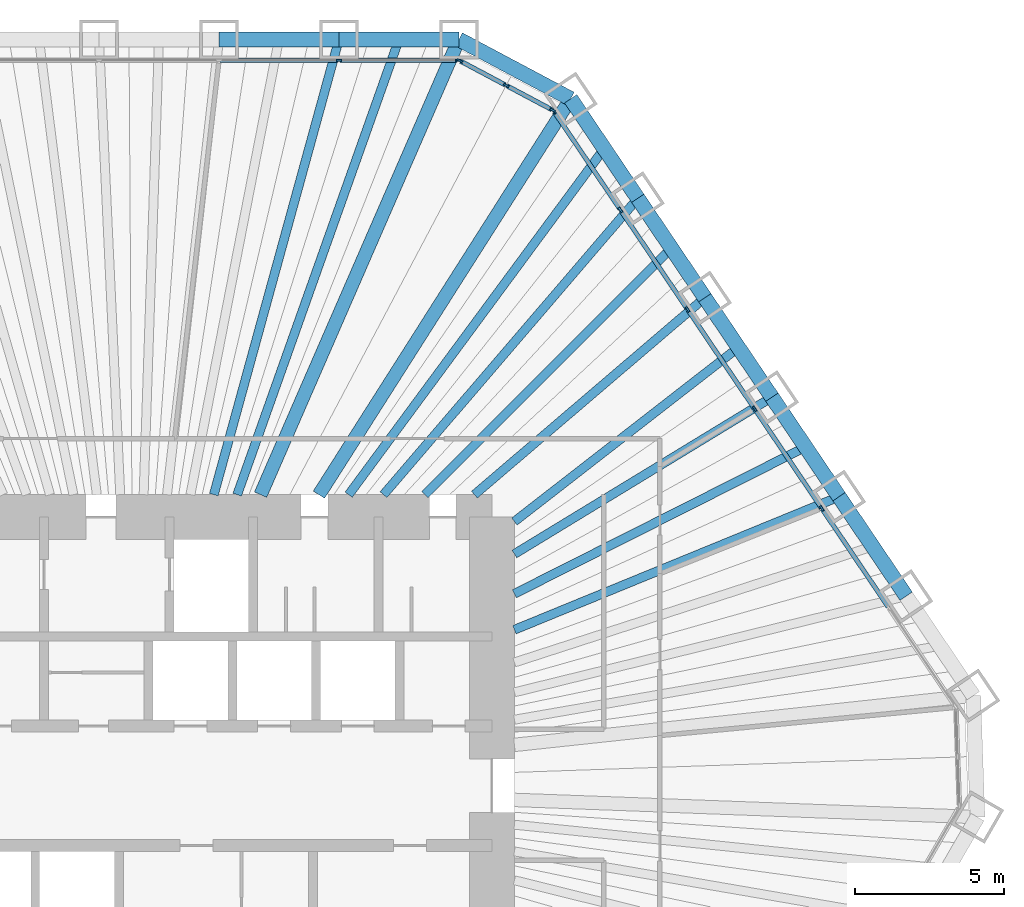
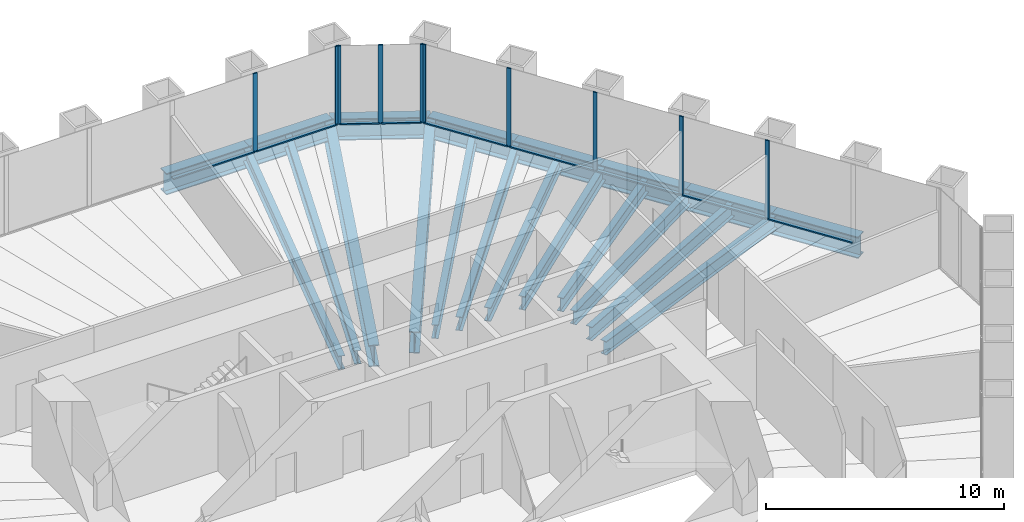
# One storey, part 7 of 13: 20 beams, 19 members, 3 elements without a shape of their own.
"""IFC4 building model written with IfcOpenShell, lengths in metres."""

import ifcopenshell
import ifcopenshell.guid

model = None  # the IFC model being written
_history = None  # IfcOwnerHistory: only IFC2X3 demands one
_inside = {}  # id of a spatial element -> (the spatial element, [elements in it])
_under = {}  # id of a project, library or spatial element -> (it, [spatial elements below it])
_declared = {}  # id of a project -> (the project, [libraries it declares])
_typed = {}  # id of a type object -> (the type object, [elements of that type])
_made_of = {}  # id of a material, layer set ... -> (it, [elements and type objects made of it])


def new_model(schema):
    """Start an empty IFC model of exactly this schema.

    Asked for "IFC4X3", IfcOpenShell would pick the latest addendum, in which some entities
    have other attributes; the version numbers below select the first issue.
    IFC2X3 requires an IfcOwnerHistory on every rooted entity: one is made here for all.
    """
    global model, _history
    if schema == "IFC4X3":
        model = ifcopenshell.file(schema_version=(4, 3, 0, 0))
    else:
        model = ifcopenshell.file(schema=schema)
    _inside.clear()
    _under.clear()
    _declared.clear()
    _typed.clear()
    _made_of.clear()
    _history = None
    if model.schema == "IFC2X3":
        org = make("IfcOrganization", Name="unknown")
        user = make(
            "IfcPersonAndOrganization",
            ThePerson=make("IfcPerson", FamilyName="unknown"),
            TheOrganization=org,
        )
        app = make(
            "IfcApplication",
            ApplicationDeveloper=org,
            Version="unknown",
            ApplicationFullName="unknown",
            ApplicationIdentifier="unknown",
        )
        _history = make(
            "IfcOwnerHistory",
            OwningUser=user,
            OwningApplication=app,
            ChangeAction="ADDED",
            CreationDate=0,
        )
    return model


def make(cls, **values):
    """One entity of the class cls with the attributes given. An attribute that is None is left unset."""
    return model.create_entity(
        cls, **{name: value for name, value in values.items() if value is not None}
    )


def rooted(cls, **values):
    """An entity with a GlobalId (a new one), such as an element, a storey or a relation."""
    return make(cls, GlobalId=ifcopenshell.guid.new(), OwnerHistory=_history, **values)


def si_unit(unit_type, name, prefix=None):
    """IfcSIUnit, for example si_unit("LENGTHUNIT", "METRE", prefix="MILLI")."""
    return make("IfcSIUnit", UnitType=unit_type, Prefix=prefix, Name=name)


def assignment(units):
    """IfcUnitAssignment: the units of a project."""
    return None if units is None else make("IfcUnitAssignment", Units=units)


def point(xyz):
    """IfcCartesianPoint."""
    return None if xyz is None else make("IfcCartesianPoint", Coordinates=xyz)


def direction(xyz):
    """IfcDirection."""
    return None if xyz is None else make("IfcDirection", DirectionRatios=xyz)


def frame(location, z_axis=None, x_axis=None):
    """IfcAxis2Placement3D, a coordinate frame: its origin and axes. An axis left out is left unset."""
    return make(
        "IfcAxis2Placement3D",
        Location=point(location),
        Axis=direction(z_axis),
        RefDirection=direction(x_axis),
    )


def frame_2d(location, x_axis=None):
    """IfcAxis2Placement2D, a coordinate frame in the plane: its origin and x axis."""
    return make(
        "IfcAxis2Placement2D", Location=point(location), RefDirection=direction(x_axis)
    )


def origin():
    """The frame at (0, 0, 0) with its axes left unset."""
    return frame((0.0, 0.0, 0.0))


def origin_2d():
    """The frame at (0, 0) in the plane with its x axis left unset."""
    return frame_2d((0.0, 0.0))


def place(relative_to, where):
    """IfcLocalPlacement: puts the frame where relative to a parent placement (None: the world)."""
    return make(
        "IfcLocalPlacement", PlacementRelTo=relative_to, RelativePlacement=where
    )


def context(
    kind, dimensions, precision=None, world=None, true_north=None, identifier=None
):
    """IfcGeometricRepresentationContext, for example the 3D "Model" context."""
    return make(
        "IfcGeometricRepresentationContext",
        ContextIdentifier=identifier,
        ContextType=kind,
        CoordinateSpaceDimension=dimensions,
        Precision=precision,
        WorldCoordinateSystem=world,
        TrueNorth=true_north,
    )


def subcontext(parent, identifier, kind, view, scale=None):
    """IfcGeometricRepresentationSubContext, for example "Body" below "Model"."""
    return make(
        "IfcGeometricRepresentationSubContext",
        ContextIdentifier=identifier,
        ContextType=kind,
        ParentContext=parent,
        TargetScale=scale,
        TargetView=view,
    )


def project(units=None, contexts=None):
    """IfcProject with its units and contexts."""
    return rooted(
        "IfcProject",
        Name="project",
        RepresentationContexts=contexts,
        UnitsInContext=assignment(units),
    )


def spatial(cls, under=None, at=None, **own):
    """A site, building, storey or space (cls), placed at a placement, below another one or the project."""
    s = rooted(cls, ObjectPlacement=at, **own)
    if under is not None:
        _under.setdefault(under.id(), (under, []))[1].append(s)
    return s


def profile(cls, at=None, kind="AREA", **sizes):
    """A parametric profile (cls). Its sizes go by their IFC names, for example OverallWidth=200.0."""
    return make(cls, ProfileType=kind, Position=at, **sizes)


def rectangle(**sizes):
    """IfcRectangleProfileDef."""
    return profile("IfcRectangleProfileDef", **sizes)


def i_section(**sizes):
    """IfcIShapeProfileDef."""
    return profile("IfcIShapeProfileDef", **sizes)


def extrude(swept, where, along, depth):
    """IfcExtrudedAreaSolid: the profile swept, set in the frame where, extruded along a direction by depth."""
    return make(
        "IfcExtrudedAreaSolid",
        SweptArea=swept,
        Position=where,
        ExtrudedDirection=direction(along),
        Depth=depth,
    )


def shape(context_of_items, identifier, shape_type, items):
    """IfcShapeRepresentation: the items that make up one representation, for example the "Body"."""
    return make(
        "IfcShapeRepresentation",
        ContextOfItems=context_of_items,
        RepresentationIdentifier=identifier,
        RepresentationType=shape_type,
        Items=items,
    )


def material(Name=None, Category=None):
    """IfcMaterial."""
    return make("IfcMaterial", Name=Name, Category=Category)


def material_profile(
    of_material, cross_section, Name=None, Category=None, Priority=None
):
    """IfcMaterialProfile: a cross section and its material."""
    return make(
        "IfcMaterialProfile",
        Name=Name,
        Material=of_material,
        Profile=cross_section,
        Priority=Priority,
        Category=Category,
    )


def profile_set(profiles, Name=None, composite=None):
    """IfcMaterialProfileSet."""
    return make(
        "IfcMaterialProfileSet",
        Name=Name,
        MaterialProfiles=profiles,
        CompositeProfile=composite,
    )


def made_of(thing, what):
    """Note that an element or type object is made of a material, layer set ...; save() writes the relation."""
    if what is not None:
        _made_of.setdefault(what.id(), (what, []))[1].append(thing)
    return thing


def type_object(cls, material=None, **own):
    """A type object (cls), such as IfcWallType, which elements share."""
    return made_of(rooted(cls, **own), material)


def element(
    cls,
    number,
    at=None,
    inside=None,
    cuts=None,
    type_object=None,
    material=None,
    context=None,
    identifier="Body",
    shape_type=None,
    held_by="IfcProductDefinitionShape",
    body=None,
    shapes=None,
    **own,
):
    """One element of the class cls, such as IfcWall. Its Tag is "e" and its number.

    at: its placement. inside: the storey or other place that contains it. cuts: it is an
    opening in that element (IfcRelVoidsElement). A single representation is given by context,
    identifier, shape_type and body (its items); several are given by shapes. held_by: the class
    of the entity that holds the representations. save() writes the other relations.
    """
    e = rooted(cls, Tag="e%d" % number, ObjectPlacement=at, **own)
    if body is not None:
        shapes = [shape(context, identifier, shape_type, body)]
    if shapes is not None:
        e.Representation = make(held_by, Representations=shapes)
    if inside is not None:
        _inside.setdefault(inside.id(), (inside, []))[1].append(e)
    if cuts is not None:
        rooted(
            "IfcRelVoidsElement", RelatingBuildingElement=cuts, RelatedOpeningElement=e
        )
    if type_object is not None:
        _typed.setdefault(type_object.id(), (type_object, []))[1].append(e)
    return made_of(e, material)


def aggregate(whole, parts):
    """IfcRelAggregates: a whole, such as a stair, and the parts it consists of."""
    return rooted("IfcRelAggregates", RelatingObject=whole, RelatedObjects=parts)


def save(model, path):
    """Write the relations noted so far, then the file.

    IfcRelAggregates (storeys below a building ...), IfcRelContainedInSpatialStructure (elements
    in a storey), IfcRelDefinesByType, IfcRelAssociatesMaterial and IfcRelDeclares: one each for
    every whole, place, type object, material and project.
    """
    for whole, parts in _under.values():
        aggregate(whole, parts)
    for where, things in _inside.values():
        rooted(
            "IfcRelContainedInSpatialStructure",
            RelatedElements=things,
            RelatingStructure=where,
        )
    for kind, things in _typed.values():
        rooted("IfcRelDefinesByType", RelatedObjects=things, RelatingType=kind)
    for what, things in _made_of.values():
        rooted("IfcRelAssociatesMaterial", RelatedObjects=things, RelatingMaterial=what)
    for by, libraries in _declared.values():
        rooted("IfcRelDeclares", RelatingContext=by, RelatedDefinitions=libraries)
    model.write(path)


model = new_model("IFC4")

# Units and contexts
model_context = context("Model", 3, precision=1e-05, world=origin(), true_north=direction((0.0, 1.0)))
body_context = subcontext(model_context, "Body", "Model", "MODEL_VIEW")
ifc_project = project(units=[si_unit("LENGTHUNIT", "METRE"), si_unit("AREAUNIT", "SQUARE_METRE"), si_unit("VOLUMEUNIT", "CUBIC_METRE"), si_unit("PLANEANGLEUNIT", "RADIAN"), si_unit("MASSUNIT", "GRAM", prefix="KILO")], contexts=[model_context])

# Site, building, storey
site_placement = place(None, origin())
site = spatial("IfcSite", under=ifc_project, at=site_placement, CompositionType="ELEMENT")
building_placement = place(site_placement, origin())
building = spatial("IfcBuilding", under=site, at=building_placement, Name="Qingtian Harvest Tower", CompositionType="ELEMENT")
storey_placement = place(building_placement, frame((0.0, 0.0, 124.0)))
storey = spatial("IfcBuildingStorey", under=building, at=storey_placement, Name="L25", CompositionType="ELEMENT", Elevation=124.0)

# Beams
ifc_material_1 = material(Name="Steel SM570MC", Category="steel")
ifc_material_profile_1 = material_profile(ifc_material_1, i_section(OverallWidth=0.449951171875, OverallDepth=1.10009765625, WebThickness=0.02197265625, FlangeThickness=0.044921875, at=origin_2d()), Name="H1100x450x22x45")
ifc_profile_set_1 = profile_set([ifc_material_profile_1], Name="Steel SM570MC")
beam_type_1 = type_object("IfcBeamType", Name="Corner floor beam FB8 H1100x450x22x45", PredefinedType="BEAM", material=ifc_profile_set_1)
beam_1_placement = place(storey_placement, frame((10.892822265625, 25.0, -0.719970703125), z_axis=(-0.399451016538, -0.916754539333, 0.0), x_axis=(0.916754539333, -0.399451016538, 0.0)))
element("IfcBeam", 1, at=beam_1_placement, inside=storey, type_object=beam_type_1, Name="Floor beam FB8 N6", PredefinedType="BEAM", context=body_context, shape_type="SweptSolid", body=[
    extrude(i_section(OverallWidth=0.449951171875, OverallDepth=1.10009765625, WebThickness=0.02197265625, FlangeThickness=0.044921875, at=origin_2d()), origin(), (0.0, 0.0, 1.0), 16.634765625),
])
beam_2_placement = place(storey_placement, frame((14.634765625, 23.01025390625, -0.719970703125), z_axis=(-0.536660352939, -0.843798355997, 0.0), x_axis=(0.843798355997, -0.536660352939, 0.0)))
element("IfcBeam", 2, at=beam_2_placement, inside=storey, type_object=beam_type_1, Name="Floor beam FB8 NE0", PredefinedType="BEAM", context=body_context, shape_type="SweptSolid", body=[
    extrude(i_section(OverallWidth=0.449951171875, OverallDepth=1.10009765625, WebThickness=0.02197265625, FlangeThickness=0.044921875, at=origin_2d()), origin(), (0.0, 0.0, 1.0), 15.71484375),
])
ifc_material_2 = material(Name="Steel SN490B", Category="steel")
ifc_material_profile_2 = material_profile(ifc_material_2, i_section(OverallWidth=0.300048828125, OverallDepth=0.699951171875, WebThickness=0.012939453125, FlangeThickness=0.02392578125, at=origin_2d()), Name="H700x300x13x24")
ifc_profile_set_2 = profile_set([ifc_material_profile_2], Name="Steel SN490B")
beam_type_2 = type_object("IfcBeamType", Name="Floor beam FB2 H700x300x13x24", PredefinedType="BEAM", material=ifc_profile_set_2)
beam_3_placement = place(storey_placement, frame((6.873779296875, 25.0, -0.52001953125), z_axis=(-0.265119170108, -0.964215653078, 0.0), x_axis=(0.964215653078, -0.265119170108, 0.0)))
element("IfcBeam", 3, at=beam_3_placement, inside=storey, type_object=beam_type_2, Name="Floor beam FB2 N5", PredefinedType="BEAM", context=body_context, shape_type="SweptSolid", body=[
    extrude(i_section(OverallWidth=0.300048828125, OverallDepth=0.699951171875, WebThickness=0.012939453125, FlangeThickness=0.02392578125, at=origin_2d()), origin(), (0.0, 0.0, 1.0), 15.81591796875),
])
beam_4_placement = place(storey_placement, frame((16.88232421875, 19.67822265625, -0.52001953125), z_axis=(-0.651140196702, -0.758957471957, 0.0), x_axis=(0.758957471957, -0.651140196702, 0.0)))
element("IfcBeam", 4, at=beam_4_placement, inside=storey, type_object=beam_type_2, Name="Floor beam FB2 NE1", PredefinedType="BEAM", context=body_context, shape_type="SweptSolid", body=[
    extrude(i_section(OverallWidth=0.300048828125, OverallDepth=0.699951171875, WebThickness=0.012939453125, FlangeThickness=0.02392578125, at=origin_2d()), origin(), (0.0, 0.0, 1.0), 13.081298828125),
])
beam_5_placement = place(storey_placement, frame((19.129638671875, 16.346435546875, -0.52001953125), z_axis=(-0.760241810635, -0.649640199928, 0.0), x_axis=(0.649640199928, -0.760241810635, 0.0)))
element("IfcBeam", 5, at=beam_5_placement, inside=storey, type_object=beam_type_2, Name="Floor beam FB2 NE2", PredefinedType="BEAM", context=body_context, shape_type="SweptSolid", body=[
    extrude(i_section(OverallWidth=0.300048828125, OverallDepth=0.699951171875, WebThickness=0.012939453125, FlangeThickness=0.02392578125, at=origin_2d()), origin(), (0.0, 0.0, 1.0), 10.154052734375),
])
beam_6_placement = place(storey_placement, frame((21.377197265625, 13.014404296875, -0.52001953125), z_axis=(-0.854160745245, -0.520009058846, 0.0), x_axis=(0.520009058846, -0.854160745245, 0.0)))
element("IfcBeam", 6, at=beam_6_placement, inside=storey, type_object=beam_type_2, Name="Floor beam FB2 NE3", PredefinedType="BEAM", context=body_context, shape_type="SweptSolid", body=[
    extrude(i_section(OverallWidth=0.300048828125, OverallDepth=0.699951171875, WebThickness=0.012939453125, FlangeThickness=0.02392578125, at=origin_2d()), origin(), (0.0, 0.0, 1.0), 10.10009765625),
])
beam_7_placement = place(storey_placement, frame((23.62451171875, 9.682373046875, -0.52001953125), z_axis=(-0.925304541163, -0.379224875375, 0.0), x_axis=(0.379224875375, -0.925304541163, 0.0)))
element("IfcBeam", 7, at=beam_7_placement, inside=storey, type_object=beam_type_2, Name="Floor beam FB2 NE4", PredefinedType="BEAM", context=body_context, shape_type="SweptSolid", body=[
    extrude(i_section(OverallWidth=0.300048828125, OverallDepth=0.699951171875, WebThickness=0.012939453125, FlangeThickness=0.02392578125, at=origin_2d()), origin(), (0.0, 0.0, 1.0), 11.75244140625),
])
ifc_material_3 = material(Name="Steel SN490B", Category="steel")
ifc_material_profile_3 = material_profile(ifc_material_3, i_section(OverallWidth=0.300048828125, OverallDepth=0.699951171875, WebThickness=0.012939453125, FlangeThickness=0.02392578125, at=origin_2d()), Name="H700x300x13x24")
ifc_profile_set_3 = profile_set([ifc_material_profile_3], Name="Steel SN490B")
beam_type_3 = type_object("IfcBeamType", Name="Floor joist J2 H700x300x13x24", PredefinedType="JOIST", material=ifc_profile_set_3)
beam_8_placement = place(storey_placement, frame((8.88330078125, 25.0, -0.52001953125), z_axis=(-0.334829909573, -0.94227858495, 0.0), x_axis=(0.94227858495, -0.334829909573, 0.0)))
element("IfcBeam", 8, at=beam_8_placement, inside=storey, type_object=beam_type_3, Name="Floor joist J2 N5", PredefinedType="JOIST", context=body_context, shape_type="SweptSolid", body=[
    extrude(i_section(OverallWidth=0.300048828125, OverallDepth=0.699951171875, WebThickness=0.012939453125, FlangeThickness=0.02392578125, at=origin_2d()), origin(), (0.0, 0.0, 1.0), 16.18408203125),
])
beam_9_placement = place(storey_placement, frame((15.758544921875, 21.34423828125, -0.52001953125), z_axis=(-0.593960386058, -0.804494288229, 0.0), x_axis=(0.804494288229, -0.593960386058, 0.0)))
element("IfcBeam", 9, at=beam_9_placement, inside=storey, type_object=beam_type_3, Name="Floor joist J2 NE0", PredefinedType="JOIST", context=body_context, shape_type="SweptSolid", body=[
    extrude(i_section(OverallWidth=0.300048828125, OverallDepth=0.699951171875, WebThickness=0.012939453125, FlangeThickness=0.02392578125, at=origin_2d()), origin(), (0.0, 0.0, 1.0), 14.411865234375),
])
beam_10_placement = place(storey_placement, frame((18.005859375, 18.012451171875, -0.52001953125), z_axis=(-0.706970932755, -0.707242603524, 0.0), x_axis=(0.707242603524, -0.706970932755, 0.0)))
element("IfcBeam", 10, at=beam_10_placement, inside=storey, type_object=beam_type_3, Name="Floor joist J2 NE1", PredefinedType="JOIST", context=body_context, shape_type="SweptSolid", body=[
    extrude(i_section(OverallWidth=0.300048828125, OverallDepth=0.699951171875, WebThickness=0.012939453125, FlangeThickness=0.02392578125, at=origin_2d()), origin(), (0.0, 0.0, 1.0), 11.6826171875),
])
beam_11_placement = place(storey_placement, frame((20.25341796875, 14.680419921875, -0.52001953125), z_axis=(-0.789641272199, -0.61356879096, 0.0), x_axis=(0.61356879096, -0.789641272199, 0.0)))
element("IfcBeam", 11, at=beam_11_placement, inside=storey, type_object=beam_type_3, Name="Floor joist J2 NE2", PredefinedType="JOIST", context=body_context, shape_type="SweptSolid", body=[
    extrude(i_section(OverallWidth=0.300048828125, OverallDepth=0.699951171875, WebThickness=0.012939453125, FlangeThickness=0.02392578125, at=origin_2d()), origin(), (0.0, 0.0, 1.0), 9.502197265625),
])
beam_12_placement = place(storey_placement, frame((22.500732421875, 11.348388671875, -0.52001953125), z_axis=(-0.892861323685, -0.450331718478, 0.0), x_axis=(0.450331718478, -0.892861323685, 0.0)))
element("IfcBeam", 12, at=beam_12_placement, inside=storey, type_object=beam_type_3, Name="Floor joist J2 NE3", PredefinedType="JOIST", context=body_context, shape_type="SweptSolid", body=[
    extrude(i_section(OverallWidth=0.300048828125, OverallDepth=0.699951171875, WebThickness=0.012939453125, FlangeThickness=0.02392578125, at=origin_2d()), origin(), (0.0, 0.0, 1.0), 10.920654296875),
])

# Curtain wall, members
ifc_material_4 = material(Name="Bronze-anodised aluminium curtain wall", Category="aluminium")
curtain_wall_type = type_object("IfcCurtainWallType", Name="Curtain wall CW4 office", PredefinedType="USERDEFINED", material=ifc_material_4)
curtain_wall_1_placement = place(storey_placement, origin())
curtain_wall_1 = element("IfcCurtainWall", 13, at=curtain_wall_1_placement, inside=storey, type_object=curtain_wall_type, Name="Curtain wall CW4 L25 N0-5", ObjectType="RECESSED CURTAIN WALL", PredefinedType="USERDEFINED")
ifc_material_5 = material(Name="Bronze-anodised aluminium mullion", Category="aluminium")
ifc_material_profile_4 = material_profile(ifc_material_5, rectangle(XDim=0.06494140625, YDim=0.199951171875, at=origin_2d()), Name="AL 65x200")
ifc_profile_set_4 = profile_set([ifc_material_profile_4], Name="Bronze-anodised aluminium mullion")
member_type_1 = type_object("IfcMemberType", Name="Mullion CWM 65x200", PredefinedType="MULLION", material=ifc_profile_set_4)
member_1_placement = place(storey_placement, frame((6.873779296875, 24.300048828125, 0.0), z_axis=(0.0, 0.0, 1.0), x_axis=(0.0, 1.0, 0.0)))
member_1 = element("IfcMember", 14, at=member_1_placement, type_object=member_type_1, Name="CW4 mullion 6", PredefinedType="MULLION", context=body_context, shape_type="SweptSolid", body=[
    extrude(rectangle(XDim=0.06494140625, YDim=0.199951171875, at=origin_2d()), origin(), (0.0, 0.0, 1.0), 4.030029296875),
])
member_2_placement = place(storey_placement, frame((10.8603515625, 24.300048828125, 0.0), z_axis=(0.0, 0.0, 1.0), x_axis=(0.0, 1.0, 0.0)))
member_2 = element("IfcMember", 15, at=member_2_placement, type_object=member_type_1, Name="CW4 mullion 7", PredefinedType="MULLION", context=body_context, shape_type="SweptSolid", body=[
    extrude(rectangle(XDim=0.06494140625, YDim=0.199951171875, at=origin_2d()), origin(), (0.0, 0.0, 1.0), 4.030029296875),
])

curtain_wall_2_placement = place(storey_placement, origin())
curtain_wall_2 = element("IfcCurtainWall", 16, at=curtain_wall_2_placement, inside=storey, type_object=curtain_wall_type, Name="Curtain wall CW4 L25 NC", ObjectType="RECESSED CURTAIN WALL", PredefinedType="USERDEFINED")
member_3_placement = place(storey_placement, frame((10.92138671875, 24.28466796875, 0.0), z_axis=(0.0, 0.0, 1.0), x_axis=(0.469471562786, 0.882947592859, 0.0)))
member_3 = element("IfcMember", 17, at=member_3_placement, type_object=member_type_1, Name="CW4 mullion 1", PredefinedType="MULLION", context=body_context, shape_type="SweptSolid", body=[
    extrude(rectangle(XDim=0.06494140625, YDim=0.199951171875, at=origin_2d()), origin(), (0.0, 0.0, 1.0), 4.030029296875),
])
member_4_placement = place(storey_placement, frame((12.4736328125, 23.45947265625, 0.0), z_axis=(0.0, 0.0, 1.0), x_axis=(0.469471562786, 0.882947592859, 0.0)))
member_4 = element("IfcMember", 18, at=member_4_placement, type_object=member_type_1, Name="CW4 mullion 2", PredefinedType="MULLION", context=body_context, shape_type="SweptSolid", body=[
    extrude(rectangle(XDim=0.06494140625, YDim=0.199951171875, at=origin_2d()), origin(), (0.0, 0.0, 1.0), 4.030029296875),
])
member_5_placement = place(storey_placement, frame((14.02587890625, 22.634033203125, 0.0), z_axis=(0.0, 0.0, 1.0), x_axis=(0.469471562786, 0.882947592859, 0.0)))
member_5 = element("IfcMember", 19, at=member_5_placement, type_object=member_type_1, Name="CW4 mullion 3", PredefinedType="MULLION", context=body_context, shape_type="SweptSolid", body=[
    extrude(rectangle(XDim=0.06494140625, YDim=0.199951171875, at=origin_2d()), origin(), (0.0, 0.0, 1.0), 4.030029296875),
])

curtain_wall_3_placement = place(storey_placement, origin())
curtain_wall_3 = element("IfcCurtainWall", 20, at=curtain_wall_3_placement, inside=storey, type_object=curtain_wall_type, Name="Curtain wall CW4 L25 NE0-5", ObjectType="RECESSED CURTAIN WALL", PredefinedType="USERDEFINED")
member_6_placement = place(storey_placement, frame((14.07275390625, 22.592041015625, 0.0), z_axis=(0.0, 0.0, 1.0), x_axis=(0.829037572555, 0.559192903471, 0.0)))
member_6 = element("IfcMember", 21, at=member_6_placement, type_object=member_type_1, Name="CW4 mullion 1", PredefinedType="MULLION", context=body_context, shape_type="SweptSolid", body=[
    extrude(rectangle(XDim=0.06494140625, YDim=0.199951171875, at=origin_2d()), origin(), (0.0, 0.0, 1.0), 4.030029296875),
])
member_7_placement = place(storey_placement, frame((16.302001953125, 19.286865234375, 0.0), z_axis=(0.0, 0.0, 1.0), x_axis=(0.829037572555, 0.559192903471, 0.0)))
member_7 = element("IfcMember", 22, at=member_7_placement, type_object=member_type_1, Name="CW4 mullion 2", PredefinedType="MULLION", context=body_context, shape_type="SweptSolid", body=[
    extrude(rectangle(XDim=0.06494140625, YDim=0.199951171875, at=origin_2d()), origin(), (0.0, 0.0, 1.0), 4.030029296875),
])
member_8_placement = place(storey_placement, frame((18.54931640625, 15.954833984375, 0.0), z_axis=(0.0, 0.0, 1.0), x_axis=(0.829037572555, 0.559192903471, 0.0)))
member_8 = element("IfcMember", 23, at=member_8_placement, type_object=member_type_1, Name="CW4 mullion 3", PredefinedType="MULLION", context=body_context, shape_type="SweptSolid", body=[
    extrude(rectangle(XDim=0.06494140625, YDim=0.199951171875, at=origin_2d()), origin(), (0.0, 0.0, 1.0), 4.030029296875),
])
member_9_placement = place(storey_placement, frame((20.796875, 12.623046875, 0.0), z_axis=(0.0, 0.0, 1.0), x_axis=(0.829037572555, 0.559192903471, 0.0)))
member_9 = element("IfcMember", 24, at=member_9_placement, type_object=member_type_1, Name="CW4 mullion 4", PredefinedType="MULLION", context=body_context, shape_type="SweptSolid", body=[
    extrude(rectangle(XDim=0.06494140625, YDim=0.199951171875, at=origin_2d()), origin(), (0.0, 0.0, 1.0), 4.030029296875),
])
member_10_placement = place(storey_placement, frame((23.044189453125, 9.291015625, 0.0), z_axis=(0.0, 0.0, 1.0), x_axis=(0.829037572555, 0.559192903471, 0.0)))
member_10 = element("IfcMember", 25, at=member_10_placement, type_object=member_type_1, Name="CW4 mullion 5", PredefinedType="MULLION", context=body_context, shape_type="SweptSolid", body=[
    extrude(rectangle(XDim=0.06494140625, YDim=0.199951171875, at=origin_2d()), origin(), (0.0, 0.0, 1.0), 4.030029296875),
])

# Beams
ifc_material_6 = material(Name="Steel SM570MC", Category="steel")
ifc_material_profile_5 = material_profile(ifc_material_6, i_section(OverallWidth=0.5, OverallDepth=1.10009765625, WebThickness=0.02490234375, FlangeThickness=0.050048828125, at=origin_2d()), Name="H1100x500x25x50")
ifc_profile_set_5 = profile_set([ifc_material_profile_5], Name="Steel SM570MC")
beam_type_4 = type_object("IfcBeamType", Name="Spandrel beam SB2 H1100x500x25x50", PredefinedType="SPANDREL", material=ifc_profile_set_5)
beam_13_placement = place(storey_placement, frame((2.8544921875, 25.0, -0.550048828125), z_axis=(1.0, 0.0, 0.0), x_axis=(0.0, 1.0, 0.0)))
element("IfcBeam", 26, at=beam_13_placement, inside=storey, type_object=beam_type_4, Name="Spandrel SB2 N4", PredefinedType="SPANDREL", context=body_context, shape_type="SweptSolid", body=[
    extrude(i_section(OverallWidth=0.5, OverallDepth=1.10009765625, WebThickness=0.02490234375, FlangeThickness=0.050048828125, at=origin_2d()), origin(), (0.0, 0.0, 1.0), 4.019287109375),
])
beam_14_placement = place(storey_placement, frame((6.873779296875, 25.0, -0.550048828125), z_axis=(1.0, 0.0, 0.0), x_axis=(0.0, 1.0, 0.0)))
element("IfcBeam", 27, at=beam_14_placement, inside=storey, type_object=beam_type_4, Name="Spandrel SB2 N5", PredefinedType="SPANDREL", context=body_context, shape_type="SweptSolid", body=[
    extrude(i_section(OverallWidth=0.5, OverallDepth=1.10009765625, WebThickness=0.02490234375, FlangeThickness=0.050048828125, at=origin_2d()), origin(), (0.0, 0.0, 1.0), 4.01904296875),
])
beam_15_placement = place(storey_placement, frame((10.892822265625, 25.0, -0.550048828125), z_axis=(0.882935902835, -0.469493547863, 0.0), x_axis=(0.469493547863, 0.882935902835, 0.0)))
element("IfcBeam", 28, at=beam_15_placement, inside=storey, type_object=beam_type_4, Name="Spandrel SB2 NC", PredefinedType="SPANDREL", context=body_context, shape_type="SweptSolid", body=[
    extrude(i_section(OverallWidth=0.5, OverallDepth=1.10009765625, WebThickness=0.02490234375, FlangeThickness=0.050048828125, at=origin_2d()), origin(), (0.0, 0.0, 1.0), 4.238037109375),
])
beam_16_placement = place(storey_placement, frame((14.634765625, 23.01025390625, -0.550048828125), z_axis=(0.559205752254, -0.829028905796, 0.0), x_axis=(0.829028905796, 0.559205752254, 0.0)))
element("IfcBeam", 29, at=beam_16_placement, inside=storey, type_object=beam_type_4, Name="Spandrel SB2 NE0", PredefinedType="SPANDREL", context=body_context, shape_type="SweptSolid", body=[
    extrude(i_section(OverallWidth=0.5, OverallDepth=1.10009765625, WebThickness=0.02490234375, FlangeThickness=0.050048828125, at=origin_2d()), origin(), (0.0, 0.0, 1.0), 4.019287109375),
])
beam_17_placement = place(storey_placement, frame((16.88232421875, 19.67822265625, -0.550048828125), z_axis=(0.55919216322, -0.82903807186, 0.0), x_axis=(0.82903807186, 0.55919216322, 0.0)))
element("IfcBeam", 30, at=beam_17_placement, inside=storey, type_object=beam_type_4, Name="Spandrel SB2 NE1", PredefinedType="SPANDREL", context=body_context, shape_type="SweptSolid", body=[
    extrude(i_section(OverallWidth=0.5, OverallDepth=1.10009765625, WebThickness=0.02490234375, FlangeThickness=0.050048828125, at=origin_2d()), origin(), (0.0, 0.0, 1.0), 4.018798828125),
])
beam_18_placement = place(storey_placement, frame((19.129638671875, 16.346435546875, -0.550048828125), z_axis=(0.559205752254, -0.829028905796, 0.0), x_axis=(0.829028905796, 0.559205752254, 0.0)))
element("IfcBeam", 31, at=beam_18_placement, inside=storey, type_object=beam_type_4, Name="Spandrel SB2 NE2", PredefinedType="SPANDREL", context=body_context, shape_type="SweptSolid", body=[
    extrude(i_section(OverallWidth=0.5, OverallDepth=1.10009765625, WebThickness=0.02490234375, FlangeThickness=0.050048828125, at=origin_2d()), origin(), (0.0, 0.0, 1.0), 4.019287109375),
])
for number, where, z_axis, x_axis, name in (
    (32, (21.377197265625, 13.014404296875, -0.550048828125), (0.55916400171, -0.829057066306, 0.0), (0.829057066306, 0.55916400171, 0.0), "Spandrel SB2 NE3"),
    (33, (23.62451171875, 9.682373046875, -0.550048828125), (0.559233913953, -0.829009909159, 0.0), (0.829009909159, 0.559233913953, 0.0), "Spandrel SB2 NE4"),
):
    element("IfcBeam", number, at=place(storey_placement, frame(where, z_axis=z_axis, x_axis=x_axis)), inside=storey, type_object=beam_type_4, Name=name, PredefinedType="SPANDREL", context=body_context, shape_type="SweptSolid", body=[
        extrude(i_section(OverallWidth=0.5, OverallDepth=1.10009765625, WebThickness=0.02490234375, FlangeThickness=0.050048828125, at=origin_2d()), origin(), (0.0, 0.0, 1.0), 4.01904296875),
    ])

# Member
ifc_material_7 = material(Name="Bronze-anodised aluminium transom", Category="aluminium")
ifc_material_profile_6 = material_profile(ifc_material_7, rectangle(XDim=0.14990234375, YDim=0.06494140625, at=origin_2d()), Name="AL 65x150")
ifc_profile_set_6 = profile_set([ifc_material_profile_6], Name="Bronze-anodised aluminium transom")
member_type_2 = type_object("IfcMemberType", Name="Transom CWT 65x150", PredefinedType="USERDEFINED", material=ifc_profile_set_6)
member_11_placement = place(storey_placement, frame((2.886962890625, 24.300048828125, 0.032470703125), z_axis=(1.0, 0.0, 0.0), x_axis=(0.0, 1.0, 0.0)))
member_11 = element("IfcMember", 34, at=member_11_placement, type_object=member_type_2, Name="CW4 transom 5.1", ObjectType="TRANSOM", PredefinedType="USERDEFINED", context=body_context, shape_type="SweptSolid", body=[
    extrude(rectangle(XDim=0.14990234375, YDim=0.06494140625, at=origin_2d()), origin(), (0.0, 0.0, 1.0), 3.9541015625),
])

member_12_placement = place(storey_placement, frame((6.90625, 24.300048828125, 0.032470703125), z_axis=(1.0, 0.0, 0.0), x_axis=(0.0, 1.0, 0.0)))
member_12 = element("IfcMember", 35, at=member_12_placement, type_object=member_type_2, Name="CW4 transom 6.1", ObjectType="TRANSOM", PredefinedType="USERDEFINED", context=body_context, shape_type="SweptSolid", body=[
    extrude(rectangle(XDim=0.14990234375, YDim=0.06494140625, at=origin_2d()), origin(), (0.0, 0.0, 1.0), 3.92138671875),
])

aggregate(curtain_wall_1, [member_1, member_2, member_11, member_12])

member_13_placement = place(storey_placement, frame((10.9501953125, 24.26953125, 0.032470703125), z_axis=(0.882895287784, -0.469569921108, 0.0), x_axis=(0.469569921108, 0.882895287784, 0.0)))
member_13 = element("IfcMember", 36, at=member_13_placement, type_object=member_type_2, Name="CW4 transom 1.1", ObjectType="TRANSOM", PredefinedType="USERDEFINED", context=body_context, shape_type="SweptSolid", body=[
    extrude(rectangle(XDim=0.14990234375, YDim=0.06494140625, at=origin_2d()), origin(), (0.0, 0.0, 1.0), 1.69287109375),
])

member_14_placement = place(storey_placement, frame((12.502197265625, 23.444091796875, 0.032470703125), z_axis=(0.882986854304, -0.469397715297, 0.0), x_axis=(0.469397715297, 0.882986854304, 0.0)))
member_14 = element("IfcMember", 37, at=member_14_placement, type_object=member_type_2, Name="CW4 transom 2.1", ObjectType="TRANSOM", PredefinedType="USERDEFINED", context=body_context, shape_type="SweptSolid", body=[
    extrude(rectangle(XDim=0.14990234375, YDim=0.06494140625, at=origin_2d()), origin(), (0.0, 0.0, 1.0), 1.69287109375),
])

aggregate(curtain_wall_2, [member_3, member_4, member_5, member_13, member_14])

member_15_placement = place(storey_placement, frame((14.0908203125, 22.56494140625, 0.032470703125), z_axis=(0.55920336949, -0.82903051304, 0.0), x_axis=(0.82903051304, 0.55920336949, 0.0)))
member_15 = element("IfcMember", 38, at=member_15_placement, type_object=member_type_2, Name="CW4 transom 1.1", ObjectType="TRANSOM", PredefinedType="USERDEFINED", context=body_context, shape_type="SweptSolid", body=[
    extrude(rectangle(XDim=0.14990234375, YDim=0.06494140625, at=origin_2d()), origin(), (0.0, 0.0, 1.0), 3.92138671875),
])

member_16_placement = place(storey_placement, frame((16.320068359375, 19.260009765625, 0.032470703125), z_axis=(0.55920878069, -0.829026863014, 0.0), x_axis=(0.829026863014, 0.55920878069, 0.0)))
member_16 = element("IfcMember", 39, at=member_16_placement, type_object=member_type_2, Name="CW4 transom 2.1", ObjectType="TRANSOM", PredefinedType="USERDEFINED", context=body_context, shape_type="SweptSolid", body=[
    extrude(rectangle(XDim=0.14990234375, YDim=0.06494140625, at=origin_2d()), origin(), (0.0, 0.0, 1.0), 3.9541015625),
])

member_17_placement = place(storey_placement, frame((18.567626953125, 15.927978515625, 0.032470703125), z_axis=(0.559166343236, -0.82905548704, 0.0), x_axis=(0.82905548704, 0.559166343236, 0.0)))
member_17 = element("IfcMember", 40, at=member_17_placement, type_object=member_type_2, Name="CW4 transom 3.1", ObjectType="TRANSOM", PredefinedType="USERDEFINED", context=body_context, shape_type="SweptSolid", body=[
    extrude(rectangle(XDim=0.14990234375, YDim=0.06494140625, at=origin_2d()), origin(), (0.0, 0.0, 1.0), 3.9541015625),
])

member_18_placement = place(storey_placement, frame((20.81494140625, 12.595947265625, 0.032470703125), z_axis=(0.55920878069, -0.829026863014, 0.0), x_axis=(0.829026863014, 0.55920878069, 0.0)))
member_18 = element("IfcMember", 41, at=member_18_placement, type_object=member_type_2, Name="CW4 transom 4.1", ObjectType="TRANSOM", PredefinedType="USERDEFINED", context=body_context, shape_type="SweptSolid", body=[
    extrude(rectangle(XDim=0.14990234375, YDim=0.06494140625, at=origin_2d()), origin(), (0.0, 0.0, 1.0), 3.9541015625),
])

member_19_placement = place(storey_placement, frame((23.0625, 9.26416015625, 0.032470703125), z_axis=(0.559166343236, -0.82905548704, 0.0), x_axis=(0.82905548704, 0.559166343236, 0.0)))
member_19 = element("IfcMember", 42, at=member_19_placement, type_object=member_type_2, Name="CW4 transom 5.1", ObjectType="TRANSOM", PredefinedType="USERDEFINED", context=body_context, shape_type="SweptSolid", body=[
    extrude(rectangle(XDim=0.14990234375, YDim=0.06494140625, at=origin_2d()), origin(), (0.0, 0.0, 1.0), 3.9541015625),
])

aggregate(curtain_wall_3, [member_6, member_7, member_8, member_9, member_10, member_15, member_16, member_17, member_18, member_19])

save(model, "model.ifc")
